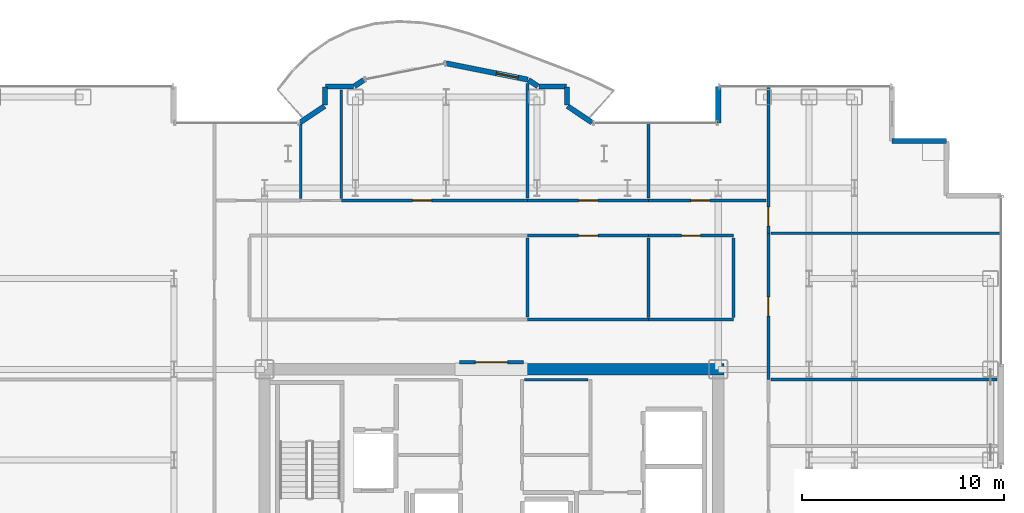
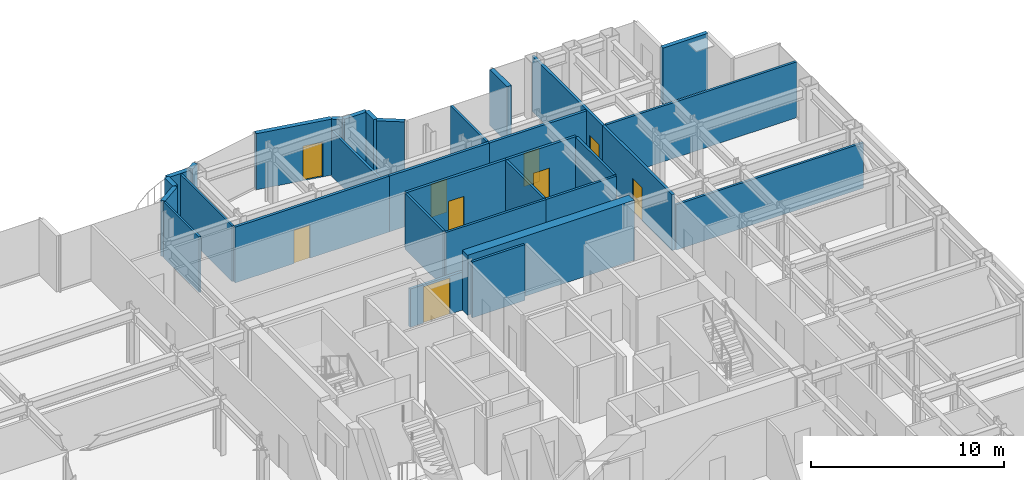
# One storey, part 23 of 26: 32 walls, 9 doors, 9 openings.
"""IFC4 building model written with IfcOpenShell, lengths in metres."""

import ifcopenshell
import ifcopenshell.guid

model = None  # the IFC model being written
_history = None  # IfcOwnerHistory: only IFC2X3 demands one
_inside = {}  # id of a spatial element -> (the spatial element, [elements in it])
_under = {}  # id of a project, library or spatial element -> (it, [spatial elements below it])
_declared = {}  # id of a project -> (the project, [libraries it declares])
_typed = {}  # id of a type object -> (the type object, [elements of that type])
_made_of = {}  # id of a material, layer set ... -> (it, [elements and type objects made of it])


def new_model(schema):
    """Start an empty IFC model of exactly this schema.

    Asked for "IFC4X3", IfcOpenShell would pick the latest addendum, in which some entities
    have other attributes; the version numbers below select the first issue.
    IFC2X3 requires an IfcOwnerHistory on every rooted entity: one is made here for all.
    """
    global model, _history
    if schema == "IFC4X3":
        model = ifcopenshell.file(schema_version=(4, 3, 0, 0))
    else:
        model = ifcopenshell.file(schema=schema)
    _inside.clear()
    _under.clear()
    _declared.clear()
    _typed.clear()
    _made_of.clear()
    _history = None
    if model.schema == "IFC2X3":
        org = make("IfcOrganization", Name="unknown")
        user = make(
            "IfcPersonAndOrganization",
            ThePerson=make("IfcPerson", FamilyName="unknown"),
            TheOrganization=org,
        )
        app = make(
            "IfcApplication",
            ApplicationDeveloper=org,
            Version="unknown",
            ApplicationFullName="unknown",
            ApplicationIdentifier="unknown",
        )
        _history = make(
            "IfcOwnerHistory",
            OwningUser=user,
            OwningApplication=app,
            ChangeAction="ADDED",
            CreationDate=0,
        )
    return model


def make(cls, **values):
    """One entity of the class cls with the attributes given. An attribute that is None is left unset."""
    return model.create_entity(
        cls, **{name: value for name, value in values.items() if value is not None}
    )


def rooted(cls, **values):
    """An entity with a GlobalId (a new one), such as an element, a storey or a relation."""
    return make(cls, GlobalId=ifcopenshell.guid.new(), OwnerHistory=_history, **values)


def si_unit(unit_type, name, prefix=None):
    """IfcSIUnit, for example si_unit("LENGTHUNIT", "METRE", prefix="MILLI")."""
    return make("IfcSIUnit", UnitType=unit_type, Prefix=prefix, Name=name)


def assignment(units):
    """IfcUnitAssignment: the units of a project."""
    return None if units is None else make("IfcUnitAssignment", Units=units)


def point(xyz):
    """IfcCartesianPoint."""
    return None if xyz is None else make("IfcCartesianPoint", Coordinates=xyz)


def direction(xyz):
    """IfcDirection."""
    return None if xyz is None else make("IfcDirection", DirectionRatios=xyz)


def frame(location, z_axis=None, x_axis=None):
    """IfcAxis2Placement3D, a coordinate frame: its origin and axes. An axis left out is left unset."""
    return make(
        "IfcAxis2Placement3D",
        Location=point(location),
        Axis=direction(z_axis),
        RefDirection=direction(x_axis),
    )


def frame_2d(location, x_axis=None):
    """IfcAxis2Placement2D, a coordinate frame in the plane: its origin and x axis."""
    return make(
        "IfcAxis2Placement2D", Location=point(location), RefDirection=direction(x_axis)
    )


def origin():
    """The frame at (0, 0, 0) with its axes left unset."""
    return frame((0.0, 0.0, 0.0))


def place(relative_to, where):
    """IfcLocalPlacement: puts the frame where relative to a parent placement (None: the world)."""
    return make(
        "IfcLocalPlacement", PlacementRelTo=relative_to, RelativePlacement=where
    )


def context(
    kind, dimensions, precision=None, world=None, true_north=None, identifier=None
):
    """IfcGeometricRepresentationContext, for example the 3D "Model" context."""
    return make(
        "IfcGeometricRepresentationContext",
        ContextIdentifier=identifier,
        ContextType=kind,
        CoordinateSpaceDimension=dimensions,
        Precision=precision,
        WorldCoordinateSystem=world,
        TrueNorth=true_north,
    )


def subcontext(parent, identifier, kind, view, scale=None):
    """IfcGeometricRepresentationSubContext, for example "Body" below "Model"."""
    return make(
        "IfcGeometricRepresentationSubContext",
        ContextIdentifier=identifier,
        ContextType=kind,
        ParentContext=parent,
        TargetScale=scale,
        TargetView=view,
    )


def project(units=None, contexts=None):
    """IfcProject with its units and contexts."""
    return rooted(
        "IfcProject",
        Name="project",
        RepresentationContexts=contexts,
        UnitsInContext=assignment(units),
    )


def spatial(cls, under=None, at=None, **own):
    """A site, building, storey or space (cls), placed at a placement, below another one or the project."""
    s = rooted(cls, ObjectPlacement=at, **own)
    if under is not None:
        _under.setdefault(under.id(), (under, []))[1].append(s)
    return s


def profile(cls, at=None, kind="AREA", **sizes):
    """A parametric profile (cls). Its sizes go by their IFC names, for example OverallWidth=200.0."""
    return make(cls, ProfileType=kind, Position=at, **sizes)


def rectangle(**sizes):
    """IfcRectangleProfileDef."""
    return profile("IfcRectangleProfileDef", **sizes)


def extrude(swept, where, along, depth):
    """IfcExtrudedAreaSolid: the profile swept, set in the frame where, extruded along a direction by depth."""
    return make(
        "IfcExtrudedAreaSolid",
        SweptArea=swept,
        Position=where,
        ExtrudedDirection=direction(along),
        Depth=depth,
    )


def shape(context_of_items, identifier, shape_type, items):
    """IfcShapeRepresentation: the items that make up one representation, for example the "Body"."""
    return make(
        "IfcShapeRepresentation",
        ContextOfItems=context_of_items,
        RepresentationIdentifier=identifier,
        RepresentationType=shape_type,
        Items=items,
    )


def source(mapping_origin, context_of_items, identifier, shape_type, items):
    """IfcRepresentationMap: a shape defined once, which mapped items show again and again."""
    return make(
        "IfcRepresentationMap",
        MappingOrigin=mapping_origin,
        MappedRepresentation=shape(context_of_items, identifier, shape_type, items),
    )


def transform(
    local_origin,
    x_axis=None,
    y_axis=None,
    z_axis=None,
    scale=None,
    scale2=None,
    scale3=None,
    uniform=True,
):
    """IfcCartesianTransformationOperator3D, or its non-uniform kind. x_axis, y_axis, z_axis: its Axis1, 2, 3."""
    if uniform:
        return make(
            "IfcCartesianTransformationOperator3D",
            Axis1=direction(x_axis),
            Axis2=direction(y_axis),
            LocalOrigin=point(local_origin),
            Scale=scale,
            Axis3=direction(z_axis),
        )
    return make(
        "IfcCartesianTransformationOperator3DnonUniform",
        Axis1=direction(x_axis),
        Axis2=direction(y_axis),
        LocalOrigin=point(local_origin),
        Scale=scale,
        Axis3=direction(z_axis),
        Scale2=scale2,
        Scale3=scale3,
    )


def mapped(mapping_source, mapping_target):
    """IfcMappedItem: shows the shape of a source again, moved by a transform."""
    return make(
        "IfcMappedItem", MappingSource=mapping_source, MappingTarget=mapping_target
    )


def material(Name=None, Category=None):
    """IfcMaterial."""
    return make("IfcMaterial", Name=Name, Category=Category)


def layer(
    of_material, thickness, ventilated=None, Name=None, Category=None, Priority=None
):
    """IfcMaterialLayer: one layer of a wall or slab, of a material (None: an air gap)."""
    return make(
        "IfcMaterialLayer",
        Material=of_material,
        LayerThickness=thickness,
        IsVentilated=ventilated,
        Name=Name,
        Category=Category,
        Priority=Priority,
    )


def layer_set(layers, Name=None):
    """IfcMaterialLayerSet."""
    return make("IfcMaterialLayerSet", MaterialLayers=layers, LayerSetName=Name)


def made_of(thing, what):
    """Note that an element or type object is made of a material, layer set ...; save() writes the relation."""
    if what is not None:
        _made_of.setdefault(what.id(), (what, []))[1].append(thing)
    return thing


def type_object(cls, material=None, **own):
    """A type object (cls), such as IfcWallType, which elements share."""
    return made_of(rooted(cls, **own), material)


def element(
    cls,
    number,
    at=None,
    inside=None,
    cuts=None,
    type_object=None,
    material=None,
    context=None,
    identifier="Body",
    shape_type=None,
    held_by="IfcProductDefinitionShape",
    body=None,
    shapes=None,
    **own,
):
    """One element of the class cls, such as IfcWall. Its Tag is "e" and its number.

    at: its placement. inside: the storey or other place that contains it. cuts: it is an
    opening in that element (IfcRelVoidsElement). A single representation is given by context,
    identifier, shape_type and body (its items); several are given by shapes. held_by: the class
    of the entity that holds the representations. save() writes the other relations.
    """
    e = rooted(cls, Tag="e%d" % number, ObjectPlacement=at, **own)
    if body is not None:
        shapes = [shape(context, identifier, shape_type, body)]
    if shapes is not None:
        e.Representation = make(held_by, Representations=shapes)
    if inside is not None:
        _inside.setdefault(inside.id(), (inside, []))[1].append(e)
    if cuts is not None:
        rooted(
            "IfcRelVoidsElement", RelatingBuildingElement=cuts, RelatedOpeningElement=e
        )
    if type_object is not None:
        _typed.setdefault(type_object.id(), (type_object, []))[1].append(e)
    return made_of(e, material)


def fill(opening, filler):
    """IfcRelFillsElement: the door or window that sits in an opening."""
    return rooted(
        "IfcRelFillsElement",
        RelatingOpeningElement=opening,
        RelatedBuildingElement=filler,
    )


def aggregate(whole, parts):
    """IfcRelAggregates: a whole, such as a stair, and the parts it consists of."""
    return rooted("IfcRelAggregates", RelatingObject=whole, RelatedObjects=parts)


def save(model, path):
    """Write the relations noted so far, then the file.

    IfcRelAggregates (storeys below a building ...), IfcRelContainedInSpatialStructure (elements
    in a storey), IfcRelDefinesByType, IfcRelAssociatesMaterial and IfcRelDeclares: one each for
    every whole, place, type object, material and project.
    """
    for whole, parts in _under.values():
        aggregate(whole, parts)
    for where, things in _inside.values():
        rooted(
            "IfcRelContainedInSpatialStructure",
            RelatedElements=things,
            RelatingStructure=where,
        )
    for kind, things in _typed.values():
        rooted("IfcRelDefinesByType", RelatedObjects=things, RelatingType=kind)
    for what, things in _made_of.values():
        rooted("IfcRelAssociatesMaterial", RelatedObjects=things, RelatingMaterial=what)
    for by, libraries in _declared.values():
        rooted("IfcRelDeclares", RelatingContext=by, RelatedDefinitions=libraries)
    model.write(path)


model = new_model("IFC4")

# Units and contexts
model_context = context("Model", 3, precision=1e-05, world=origin(), true_north=direction((0.0, 1.0)))
body_context = subcontext(model_context, "Body", "Model", "MODEL_VIEW")
ifc_project = project(units=[si_unit("LENGTHUNIT", "METRE"), si_unit("AREAUNIT", "SQUARE_METRE"), si_unit("VOLUMEUNIT", "CUBIC_METRE"), si_unit("PLANEANGLEUNIT", "RADIAN"), si_unit("MASSUNIT", "GRAM", prefix="KILO")], contexts=[model_context])

# Site, building, storey
site_placement = place(None, origin())
site = spatial("IfcSite", under=ifc_project, at=site_placement, CompositionType="ELEMENT")
building_placement = place(site_placement, origin())
building = spatial("IfcBuilding", under=site, at=building_placement, Name="Nefas-Gora Pilgrimage Tower", CompositionType="ELEMENT")
storey_placement = place(building_placement, frame((0.0, 0.0, 171.60009765625)))
storey = spatial("IfcBuildingStorey", under=building, at=storey_placement, Name="L42", CompositionType="ELEMENT", Elevation=171.60009765625)

# Walls
ifc_material_1 = material(Name="Concrete C60/75", Category="concrete")
ifc_layer_1 = layer(ifc_material_1, 0.550048828125)
ifc_layer_set_1 = layer_set([ifc_layer_1], Name="Concrete C60/75")
wall_type_1 = type_object("IfcWallType", Name="SW-CORE-550", PredefinedType="SHEAR", material=ifc_layer_set_1)
shared_shape_1 = source(origin(), body_context, "Body", "SweptSolid", [
    extrude(rectangle(XDim=9.974853515625, YDim=0.550048828125, at=frame_2d((4.9873046875, 0.0))), origin(), (0.0, 0.0, 1.0), 3.7998046875),
])
wall_1_placement = place(storey_placement, frame((1.550048828125, 9.0, 0.0), z_axis=(0.0, 0.0, 1.0), x_axis=(1.0, 0.0, 0.0)))
element("IfcWall", 1, at=wall_1_placement, inside=storey, type_object=wall_type_1, Name="L42 Core Shear Wall N-East", PredefinedType="SHEAR", context=body_context, shape_type="MappedRepresentation", body=[
    mapped(shared_shape_1, transform((0.0, 0.0, 0.0), x_axis=(1.0, 0.0, 0.0), y_axis=(0.0, 1.0, 0.0), z_axis=(0.0, 0.0, 1.0), scale=1.0)),
])
ifc_material_2 = material(Name="Precast concrete C40/50", Category="concrete")
ifc_layer_2 = layer(ifc_material_2, 0.260009765625)
ifc_layer_set_2 = layer_set([ifc_layer_2], Name="Precast concrete C40/50")
wall_type_2 = type_object("IfcWallType", Name="EW-PORTAL-260", PredefinedType="SOLIDWALL", material=ifc_layer_set_2)
shared_shape_2 = source(origin(), body_context, "Body", "SweptSolid", [
    extrude(rectangle(XDim=1.800048828125, YDim=0.260009765625, at=frame_2d((0.89990234375, 0.0))), origin(), (0.0, 0.0, 1.0), 3.5498046875),
])
wall_2_placement = place(storey_placement, frame((11.25, 23.02001953125, 0.0), z_axis=(0.0, 0.0, 1.0), x_axis=(0.0, -1.0, 0.0)))
element("IfcWall", 2, at=wall_2_placement, inside=storey, type_object=wall_type_2, Name="L42 Lobe Shoulder Precast Spandrel Pier 14", PredefinedType="SOLIDWALL", context=body_context, shape_type="MappedRepresentation", body=[
    mapped(shared_shape_2, transform((0.0, 0.0, 0.0), x_axis=(1.0, 0.0, 0.0), y_axis=(0.0, 1.0, 0.0), z_axis=(0.0, 0.0, 1.0), scale=1.0)),
])
ifc_material_3 = material(Name="Precast concrete C45/55", Category="concrete")
ifc_layer_3 = layer(ifc_material_3, 0.239990234375)
ifc_layer_set_3 = layer_set([ifc_layer_3], Name="Precast concrete C45/55")
wall_type_3 = type_object("IfcWallType", Name="EW-SERR-240", PredefinedType="SHEAR", material=ifc_layer_set_3)
shared_shape_3 = source(origin(), body_context, "Body", "SweptSolid", [
    extrude(rectangle(XDim=2.699951171875, YDim=0.239990234375, at=frame_2d((1.35009765625, 0.0))), origin(), (0.0, 0.0, 1.0), 3.5498046875),
])
wall_3_placement = place(storey_placement, frame((22.570068359375, 20.320068359375, 0.0), z_axis=(0.0, 0.0, 1.0), x_axis=(-1.0, 0.0, 0.0)))
element("IfcWall", 3, at=wall_3_placement, inside=storey, type_object=wall_type_3, Name="L42 Serrated Corner Shear Pier Wall 12", PredefinedType="SHEAR", context=body_context, shape_type="MappedRepresentation", body=[
    mapped(shared_shape_3, transform((0.0, 0.0, 0.0), x_axis=(1.0, 0.0, 0.0), y_axis=(0.0, 1.0, 0.0), z_axis=(0.0, 0.0, 1.0), scale=1.0)),
])
shared_shape_4 = source(origin(), body_context, "Body", "SweptSolid", [
    extrude(rectangle(XDim=1.468994140625, YDim=0.260009765625, at=frame_2d((0.734375, 0.0))), origin(), (0.0, 0.0, 1.0), 3.5498046875),
])
for number, where, z_axis, x_axis, name in (
    (4, (4.99462890625, 21.235595703125, 0.0), (0.0, 0.0, 1.0), (-0.831461760506, 0.555581983884, 0.0), "L42 Lobe Shoulder Precast Spandrel Pier 15"),
    (5, (-8.273193359375, 22.0517578125, 0.0), (0.0, 0.0, 1.0), (-0.831461760506, -0.555581983884, 0.0), "L42 Lobe Shoulder Precast Spandrel Pier 23"),
):
    element("IfcWall", number, at=place(storey_placement, frame(where, z_axis=z_axis, x_axis=x_axis)), inside=storey, type_object=wall_type_2, Name=name, PredefinedType="SOLIDWALL", context=body_context, shape_type="MappedRepresentation", body=[
        mapped(shared_shape_4, transform((0.0, 0.0, 0.0), x_axis=(1.0, 0.0, 0.0), y_axis=(0.0, 1.0, 0.0), z_axis=(0.0, 0.0, 1.0), scale=1.0)),
    ])
shared_shape_5 = source(origin(), body_context, "Body", "SweptSolid", [
    extrude(rectangle(XDim=0.896728515625, YDim=0.260009765625, at=frame_2d((0.4482421875, 0.0))), origin(), (0.0, 0.0, 1.0), 3.5498046875),
])
for number, where, z_axis, x_axis, name in (
    (6, (3.75, 22.09521484375, 0.0), (0.0, 0.0, 1.0), (0.0, 1.0, 0.0), "L42 Lobe Shoulder Precast Spandrel Pier 16"),
    (7, (-8.25, 22.991943359375, 0.0), (0.0, 0.0, 1.0), (0.0, -1.0, 0.0), "L42 Lobe Shoulder Precast Spandrel Pier 22"),
):
    element("IfcWall", number, at=place(storey_placement, frame(where, z_axis=z_axis, x_axis=x_axis)), inside=storey, type_object=wall_type_2, Name=name, PredefinedType="SOLIDWALL", context=body_context, shape_type="MappedRepresentation", body=[
        mapped(shared_shape_5, transform((0.0, 0.0, 0.0), x_axis=(1.0, 0.0, 0.0), y_axis=(0.0, 1.0, 0.0), z_axis=(0.0, 0.0, 1.0), scale=1.0)),
    ])
shared_shape_6 = source(origin(), body_context, "Body", "SweptSolid", [
    extrude(rectangle(XDim=1.369873046875, YDim=0.260009765625, at=frame_2d((0.68505859375, 0.0))), origin(), (0.0, 0.0, 1.0), 3.5498046875),
])
for number, where, z_axis, x_axis, name in (
    (8, (3.721923828125, 23.02001953125, 0.0), (0.0, 0.0, 1.0), (-1.0, 0.0, 0.0), "L42 Lobe Shoulder Precast Spandrel Pier 17"),
    (9, (-6.85205078125, 23.02001953125, 0.0), (0.0, 0.0, 1.0), (-1.0, 0.0, 0.0), "L42 Lobe Shoulder Precast Spandrel Pier 21"),
):
    element("IfcWall", number, at=place(storey_placement, frame(where, z_axis=z_axis, x_axis=x_axis)), inside=storey, type_object=wall_type_2, Name=name, PredefinedType="SOLIDWALL", context=body_context, shape_type="MappedRepresentation", body=[
        mapped(shared_shape_6, transform((0.0, 0.0, 0.0), x_axis=(1.0, 0.0, 0.0), y_axis=(0.0, 1.0, 0.0), z_axis=(0.0, 0.0, 1.0), scale=1.0)),
    ])
shared_shape_7 = source(origin(), body_context, "Body", "SweptSolid", [
    extrude(rectangle(XDim=0.5654296875, YDim=0.260009765625, at=frame_2d((0.28271484375, 0.0))), origin(), (0.0, 0.0, 1.0), 3.5498046875),
])
for number, where, z_axis, x_axis, name in (
    (10, (2.30078125, 23.03564453125, 0.0), (0.0, 0.0, 1.0), (-0.831651492666, 0.555297933317, 0.0), "L42 Lobe Shoulder Precast Spandrel Pier 18"),
    (11, (-6.33056640625, 23.349609375, 0.0), (0.0, 0.0, 1.0), (-0.831651492666, -0.555297933317, 0.0), "L42 Lobe Shoulder Precast Spandrel Pier 20"),
):
    element("IfcWall", number, at=place(storey_placement, frame(where, z_axis=z_axis, x_axis=x_axis)), inside=storey, type_object=wall_type_2, Name=name, PredefinedType="SOLIDWALL", context=body_context, shape_type="MappedRepresentation", body=[
        mapped(shared_shape_7, transform((0.0, 0.0, 0.0), x_axis=(1.0, 0.0, 0.0), y_axis=(0.0, 1.0, 0.0), z_axis=(0.0, 0.0, 1.0), scale=1.0)),
    ])

# Wall, opening, door
shared_shape_8 = source(origin(), body_context, "Body", "SweptSolid", [
    extrude(rectangle(XDim=4.136962890625, YDim=0.260009765625, at=frame_2d((2.068359375, 0.0))), origin(), (0.0, 0.0, 1.0), 3.5498046875),
])
wall_4_placement = place(storey_placement, frame((1.807373046875, 23.365234375, 0.0), z_axis=(0.0, 0.0, 1.0), x_axis=(-0.980782170794, 0.195105954428, 0.0)))
wall_4 = element("IfcWall", 12, at=wall_4_placement, inside=storey, type_object=wall_type_2, Name="L42 Insulated Terrace Portal Wall 19", PredefinedType="SOLIDWALL", context=body_context, shape_type="MappedRepresentation", body=[
    mapped(shared_shape_8, transform((0.0, 0.0, 0.0), x_axis=(1.0, 0.0, 0.0), y_axis=(0.0, 1.0, 0.0), z_axis=(0.0, 0.0, 1.0), scale=1.0)),
])
opening_1_placement = place(wall_4_placement, frame((0.48779296875, 0.0, 0.0)))
opening_1 = element("IfcOpeningElement", 13, at=opening_1_placement, cuts=wall_4, Name="Opening ED-B1", PredefinedType="OPENING", context=body_context, shape_type="SweptSolid", body=[
    extrude(rectangle(XDim=1.10009765625, YDim=2.199951171875, at=frame_2d((0.550048828125, 1.10009765625))), frame((0.0, 0.139892578125, 0.0), z_axis=(0.0, -1.0, 0.0), x_axis=(1.0, 0.0, 0.0)), (0.0, 0.0, 1.0), 0.280029296875),
])
ifc_material_4 = material(Name="Thermally broken glazed aluminium balcony door", Category="aluminium")
door_type_1 = type_object("IfcDoorType", Name="DR-EXT-BAL-1100", OperationType="NOTDEFINED", PredefinedType="DOOR", material=ifc_material_4)
shared_shape_9 = source(origin(), body_context, "Body", "SweptSolid", [
    extrude(rectangle(XDim=1.10009765625, YDim=2.199951171875, at=frame_2d((0.550048828125, 1.10009765625))), frame((0.0, 0.02490234375, 0.0), z_axis=(0.0, -1.0, 0.0), x_axis=(1.0, 0.0, 0.0)), (0.0, 0.0, 1.0), 0.050048828125),
])
door_1_placement = place(opening_1_placement, origin())
door_1 = element("IfcDoor", 14, at=door_1_placement, inside=storey, type_object=door_type_1, Name="L42 Exterior Door (L42 N Lobe Wave Balcony)", OperationType="SINGLE_SWING_LEFT", OverallHeight=2.199951171875, OverallWidth=1.10009765625, PredefinedType="DOOR", context=body_context, shape_type="MappedRepresentation", body=[
    mapped(shared_shape_9, transform((0.0, 0.0, 0.0), x_axis=(1.0, 0.0, 0.0), y_axis=(0.0, 1.0, 0.0), z_axis=(0.0, 0.0, 1.0), scale=1.0)),
])
fill(opening_1, door_1)

# Wall
ifc_material_5 = material(Name="Gypsum twin-stud partition")
ifc_layer_4 = layer(ifc_material_5, 0.139892578125)
ifc_layer_set_4 = layer_set([ifc_layer_4], Name="Gypsum twin-stud partition")
wall_type_4 = type_object("IfcWallType", Name="IW-UNIT-140", PredefinedType="PARTITIONING", material=ifc_layer_set_4)
shared_shape_10 = source(origin(), body_context, "Body", "SweptSolid", [
    extrude(rectangle(XDim=3.150146484375, YDim=0.139892578125, at=frame_2d((1.5751953125, 0.0))), origin(), (0.0, 0.0, 1.0), 3.534912109375),
])
wall_5_placement = place(storey_placement, frame((1.639892578125, 8.47998046875, 0.0), z_axis=(0.0, 0.0, 1.0), x_axis=(1.0, 0.0, 0.0)))
element("IfcWall", 15, at=wall_5_placement, inside=storey, type_object=wall_type_4, Name="L42 Amenity Supply Store Partition Wall 25", PredefinedType="PARTITIONING", context=body_context, shape_type="MappedRepresentation", body=[
    mapped(shared_shape_10, transform((0.0, 0.0, 0.0), x_axis=(1.0, 0.0, 0.0), y_axis=(0.0, 1.0, 0.0), z_axis=(0.0, 0.0, 1.0), scale=1.0)),
])

# Wall, opening, door
ifc_material_6 = material(Name="Gypsum acoustic stud partition")
ifc_layer_5 = layer(ifc_material_6, 0.159912109375)
ifc_layer_set_5 = layer_set([ifc_layer_5], Name="Gypsum acoustic stud partition")
wall_type_5 = type_object("IfcWallType", Name="IW-CORR-160", PredefinedType="PARTITIONING", material=ifc_layer_set_5)
shared_shape_11 = source(origin(), body_context, "Body", "SweptSolid", [
    extrude(rectangle(XDim=6.010009765625, YDim=0.159912109375, at=frame_2d((3.0048828125, 0.0))), origin(), (0.0, 0.0, 1.0), 3.534912109375),
])
wall_6_placement = place(storey_placement, frame((1.794921875, 17.3701171875, 0.0), z_axis=(0.0, 0.0, 1.0), x_axis=(1.0, 0.0, 0.0)))
wall_6 = element("IfcWall", 16, at=wall_6_placement, inside=storey, type_object=wall_type_5, Name="L42 Pilgrim Contemplative Lounge Partition Wall 59", PredefinedType="PARTITIONING", context=body_context, shape_type="MappedRepresentation", body=[
    mapped(shared_shape_11, transform((0.0, 0.0, 0.0), x_axis=(1.0, 0.0, 0.0), y_axis=(0.0, 1.0, 0.0), z_axis=(0.0, 0.0, 1.0), scale=1.0)),
])
opening_2_placement = place(wall_6_placement, frame((2.530029296875, 0.0, 0.0)))
opening_2 = element("IfcOpeningElement", 17, at=opening_2_placement, cuts=wall_6, Name="Opening ID-GR1", PredefinedType="OPENING", context=body_context, shape_type="SweptSolid", body=[
    extrude(rectangle(XDim=0.949951171875, YDim=2.10009765625, at=frame_2d((0.47509765625, 1.050048828125))), frame((0.0, 0.08984375, 0.0), z_axis=(0.0, -1.0, 0.0), x_axis=(1.0, 0.0, 0.0)), (0.0, 0.0, 1.0), 0.179931640625),
])
ifc_material_7 = material(Name="Solid core oak fire-rated guest entrance door")
door_type_2 = type_object("IfcDoorType", Name="DR-INT-GUEST-950", OperationType="NOTDEFINED", PredefinedType="DOOR", material=ifc_material_7)
shared_shape_12 = source(origin(), body_context, "Body", "SweptSolid", [
    extrude(rectangle(XDim=0.949951171875, YDim=2.10009765625, at=frame_2d((0.47509765625, 1.050048828125))), frame((0.0, 0.02490234375, 0.0), z_axis=(0.0, -1.0, 0.0), x_axis=(1.0, 0.0, 0.0)), (0.0, 0.0, 1.0), 0.050048828125),
])
door_2_placement = place(opening_2_placement, origin())
door_2 = element("IfcDoor", 18, at=door_2_placement, inside=storey, type_object=door_type_2, Name="L42 Pilgrim Contemplative Lounge Door 27", OperationType="SINGLE_SWING_RIGHT", OverallHeight=2.10009765625, OverallWidth=0.949951171875, PredefinedType="DOOR", context=body_context, shape_type="MappedRepresentation", body=[
    mapped(shared_shape_12, transform((0.0, 0.0, 0.0), x_axis=(1.0, 0.0, 0.0), y_axis=(0.0, 1.0, 0.0), z_axis=(0.0, 0.0, 1.0), scale=1.0)),
])
fill(opening_2, door_2)

wall_7_placement = place(storey_placement, frame((1.794921875, 15.6298828125, 0.0), z_axis=(0.0, 0.0, 1.0), x_axis=(1.0, 0.0, 0.0)))
wall_7 = element("IfcWall", 19, at=wall_7_placement, inside=storey, type_object=wall_type_5, Name="L42 Pilgrim Contemplative Lounge Partition Wall 61", PredefinedType="PARTITIONING", context=body_context, shape_type="MappedRepresentation", body=[
    mapped(shared_shape_11, transform((0.0, 0.0, 0.0), x_axis=(1.0, 0.0, 0.0), y_axis=(0.0, 1.0, 0.0), z_axis=(0.0, 0.0, 1.0), scale=1.0)),
])
opening_3_placement = place(wall_7_placement, frame((2.530029296875, 0.0, 0.0)))
opening_3 = element("IfcOpeningElement", 20, at=opening_3_placement, cuts=wall_7, Name="Opening ID-GR1", PredefinedType="OPENING", context=body_context, shape_type="SweptSolid", body=[
    extrude(rectangle(XDim=0.949951171875, YDim=2.10009765625, at=frame_2d((0.47509765625, 1.050048828125))), frame((0.0, 0.08984375, 0.0), z_axis=(0.0, -1.0, 0.0), x_axis=(1.0, 0.0, 0.0)), (0.0, 0.0, 1.0), 0.179931640625),
])
door_3_placement = place(opening_3_placement, origin())
door_3 = element("IfcDoor", 21, at=door_3_placement, inside=storey, type_object=door_type_2, Name="L42 Pilgrim Contemplative Lounge Door 28", OperationType="SINGLE_SWING_LEFT", OverallHeight=2.10009765625, OverallWidth=0.949951171875, PredefinedType="DOOR", context=body_context, shape_type="MappedRepresentation", body=[
    mapped(shared_shape_12, transform((0.0, 0.0, 0.0), x_axis=(1.0, 0.0, 0.0), y_axis=(0.0, 1.0, 0.0), z_axis=(0.0, 0.0, 1.0), scale=1.0)),
])
fill(opening_3, door_3)

shared_shape_13 = source(origin(), body_context, "Body", "SweptSolid", [
    extrude(rectangle(XDim=5.8251953125, YDim=0.159912109375, at=frame_2d((2.91259765625, 0.0))), origin(), (0.0, 0.0, 1.0), 3.534912109375),
])
wall_8_placement = place(storey_placement, frame((7.794921875, 17.3701171875, 0.0), z_axis=(0.0, 0.0, 1.0), x_axis=(1.0, 0.0, 0.0)))
wall_8 = element("IfcWall", 22, at=wall_8_placement, inside=storey, type_object=wall_type_5, Name="L42 Pilgrim Contemplative Lounge Partition Wall 64", PredefinedType="PARTITIONING", context=body_context, shape_type="MappedRepresentation", body=[
    mapped(shared_shape_13, transform((0.0, 0.0, 0.0), x_axis=(1.0, 0.0, 0.0), y_axis=(0.0, 1.0, 0.0), z_axis=(0.0, 0.0, 1.0), scale=1.0)),
])
opening_4_placement = place(wall_8_placement, frame((2.09228515625, 0.0, 0.0)))
opening_4 = element("IfcOpeningElement", 23, at=opening_4_placement, cuts=wall_8, Name="Opening ID-GR1", PredefinedType="OPENING", context=body_context, shape_type="SweptSolid", body=[
    extrude(rectangle(XDim=0.949951171875, YDim=2.10009765625, at=frame_2d((0.47509765625, 1.050048828125))), frame((0.0, 0.08984375, 0.0), z_axis=(0.0, -1.0, 0.0), x_axis=(1.0, 0.0, 0.0)), (0.0, 0.0, 1.0), 0.179931640625),
])
door_4_placement = place(opening_4_placement, origin())
door_4 = element("IfcDoor", 24, at=door_4_placement, inside=storey, type_object=door_type_2, Name="L42 Pilgrim Contemplative Lounge Door 29", OperationType="SINGLE_SWING_RIGHT", OverallHeight=2.10009765625, OverallWidth=0.949951171875, PredefinedType="DOOR", context=body_context, shape_type="MappedRepresentation", body=[
    mapped(shared_shape_12, transform((0.0, 0.0, 0.0), x_axis=(1.0, 0.0, 0.0), y_axis=(0.0, 1.0, 0.0), z_axis=(0.0, 0.0, 1.0), scale=1.0)),
])
fill(opening_4, door_4)

shared_shape_14 = source(origin(), body_context, "Body", "SweptSolid", [
    extrude(rectangle(XDim=3.16015625, YDim=0.159912109375, at=frame_2d((1.580078125, 0.0))), origin(), (0.0, 0.0, 1.0), 2.4248046875),
])
wall_9_placement = place(storey_placement, frame((-1.580078125, 9.35009765625, 0.0), z_axis=(0.0, 0.0, 1.0), x_axis=(1.0, 0.0, 0.0)))
wall_9 = element("IfcWall", 25, at=wall_9_placement, inside=storey, type_object=wall_type_5, Name="L42 Central Lift Lobby North Portal Wall 15", PredefinedType="PARTITIONING", context=body_context, shape_type="MappedRepresentation", body=[
    mapped(shared_shape_14, transform((0.0, 0.0, 0.0), x_axis=(1.0, 0.0, 0.0), y_axis=(0.0, 1.0, 0.0), z_axis=(0.0, 0.0, 1.0), scale=1.0)),
])
opening_5_placement = place(wall_9_placement, frame((0.780029296875, 0.0, 0.0)))
opening_5 = element("IfcOpeningElement", 26, at=opening_5_placement, cuts=wall_9, Name="Opening ID-HL1", PredefinedType="OPENING", context=body_context, shape_type="SweptSolid", body=[
    extrude(rectangle(XDim=1.60009765625, YDim=2.300048828125, at=frame_2d((0.800048828125, 1.14990234375))), frame((0.0, 0.08984375, 0.0), z_axis=(0.0, -1.0, 0.0), x_axis=(1.0, 0.0, 0.0)), (0.0, 0.0, 1.0), 0.179931640625),
])
ifc_material_8 = material(Name="Double acoustic timber assembly hall door", Category="wood")
door_type_3 = type_object("IfcDoorType", Name="DR-INT-HALL-1600", OperationType="DOUBLE_DOOR_SINGLE_SWING", PredefinedType="DOOR", material=ifc_material_8)
shared_shape_15 = source(origin(), body_context, "Body", "SweptSolid", [
    extrude(rectangle(XDim=1.60009765625, YDim=2.300048828125, at=frame_2d((0.800048828125, 1.14990234375))), frame((0.0, 0.02490234375, 0.0), z_axis=(0.0, -1.0, 0.0), x_axis=(1.0, 0.0, 0.0)), (0.0, 0.0, 1.0), 0.050048828125),
])
door_5_placement = place(opening_5_placement, origin())
door_5 = element("IfcDoor", 27, at=door_5_placement, inside=storey, type_object=door_type_3, Name="L42 Central Lift Lobby North Portal Door 5", OperationType="DOUBLE_DOOR_SINGLE_SWING", OverallHeight=2.300048828125, OverallWidth=1.60009765625, PredefinedType="DOOR", context=body_context, shape_type="MappedRepresentation", body=[
    mapped(shared_shape_15, transform((0.0, 0.0, 0.0), x_axis=(1.0, 0.0, 0.0), y_axis=(0.0, 1.0, 0.0), z_axis=(0.0, 0.0, 1.0), scale=1.0)),
])
fill(opening_5, door_5)

# Walls
ifc_material_9 = material(Name="Moisture-resistant fire-rated gypsum partition")
ifc_layer_6 = layer(ifc_material_9, 0.1201171875)
ifc_layer_set_6 = layer_set([ifc_layer_6], Name="Moisture-resistant fire-rated gypsum partition")
wall_type_6 = type_object("IfcWallType", Name="IW-WET-120", PredefinedType="PLUMBINGWALL", material=ifc_layer_set_6)
shared_shape_16 = source(origin(), body_context, "Body", "SweptSolid", [
    extrude(rectangle(XDim=5.380126953125, YDim=0.1201171875, at=frame_2d((2.68994140625, 0.0))), origin(), (0.0, 0.0, 1.0), 3.534912109375),
])
wall_10_placement = place(storey_placement, frame((-7.449951171875, 17.469970703125, 0.0), z_axis=(0.0, 0.0, 1.0), x_axis=(0.0, 1.0, 0.0)))
element("IfcWall", 28, at=wall_10_placement, inside=storey, type_object=wall_type_6, Name="L42 Accessible Unisex WC Partition Wall 30", PredefinedType="PLUMBINGWALL", context=body_context, shape_type="MappedRepresentation", body=[
    mapped(shared_shape_16, transform((0.0, 0.0, 0.0), x_axis=(1.0, 0.0, 0.0), y_axis=(0.0, 1.0, 0.0), z_axis=(0.0, 0.0, 1.0), scale=1.0)),
])
shared_shape_17 = source(origin(), body_context, "Body", "SweptSolid", [
    extrude(rectangle(XDim=3.686767578125, YDim=0.1201171875, at=frame_2d((1.84326171875, 0.0))), origin(), (0.0, 0.0, 1.0), 3.534912109375),
])
wall_11_placement = place(storey_placement, frame((-9.449951171875, 17.469970703125, 0.0), z_axis=(0.0, 0.0, 1.0), x_axis=(0.0, 1.0, 0.0)))
element("IfcWall", 29, at=wall_11_placement, inside=storey, type_object=wall_type_6, Name="L42 Accessible Unisex WC Partition Wall 31", PredefinedType="PLUMBINGWALL", context=body_context, shape_type="MappedRepresentation", body=[
    mapped(shared_shape_17, transform((0.0, 0.0, 0.0), x_axis=(1.0, 0.0, 0.0), y_axis=(0.0, 1.0, 0.0), z_axis=(0.0, 0.0, 1.0), scale=1.0)),
])
shared_shape_18 = source(origin(), body_context, "Body", "SweptSolid", [
    extrude(rectangle(XDim=11.429931640625, YDim=0.139892578125, at=frame_2d((5.71484375, 0.0))), origin(), (0.0, 0.0, 1.0), 3.534912109375),
])
wall_12_placement = place(storey_placement, frame((13.860107421875, 15.74755859375, 0.0), z_axis=(0.0, 0.0, 1.0), x_axis=(1.0, 0.0, 0.0)))
element("IfcWall", 30, at=wall_12_placement, inside=storey, type_object=wall_type_4, Name="L42 Pilgrim Contemplative Lounge Partition Wall 50", PredefinedType="PARTITIONING", context=body_context, shape_type="MappedRepresentation", body=[
    mapped(shared_shape_18, transform((0.0, 0.0, 0.0), x_axis=(1.0, 0.0, 0.0), y_axis=(0.0, 1.0, 0.0), z_axis=(0.0, 0.0, 1.0), scale=1.0)),
])
shared_shape_19 = source(origin(), body_context, "Body", "SweptSolid", [
    extrude(rectangle(XDim=11.219970703125, YDim=0.139892578125, at=frame_2d((5.60986328125, 0.0))), origin(), (0.0, 0.0, 1.0), 2.875),
])
wall_13_placement = place(storey_placement, frame((13.860107421875, 8.4951171875, 0.0), z_axis=(0.0, 0.0, 1.0), x_axis=(1.0, 0.0, 0.0)))
element("IfcWall", 31, at=wall_13_placement, inside=storey, type_object=wall_type_4, Name="L42 Scripture Reading Study Partition Wall 48", PredefinedType="PARTITIONING", context=body_context, shape_type="MappedRepresentation", body=[
    mapped(shared_shape_19, transform((0.0, 0.0, 0.0), x_axis=(1.0, 0.0, 0.0), y_axis=(0.0, 1.0, 0.0), z_axis=(0.0, 0.0, 1.0), scale=1.0)),
])

# Wall, opening, door
shared_shape_20 = source(origin(), body_context, "Body", "SweptSolid", [
    extrude(rectangle(XDim=7.302490234375, YDim=0.159912109375, at=frame_2d((3.6513671875, 0.0))), origin(), (0.0, 0.0, 1.0), 3.534912109375),
])
wall_14_placement = place(storey_placement, frame((13.739990234375, 15.737548828125, 0.0), z_axis=(0.0, 0.0, 1.0), x_axis=(0.0, 1.0, 0.0)))
wall_14 = element("IfcWall", 32, at=wall_14_placement, inside=storey, type_object=wall_type_5, Name="L42 Pilgrim Contemplative Lounge Partition Wall 49", PredefinedType="PARTITIONING", context=body_context, shape_type="MappedRepresentation", body=[
    mapped(shared_shape_20, transform((0.0, 0.0, 0.0), x_axis=(1.0, 0.0, 0.0), y_axis=(0.0, 1.0, 0.0), z_axis=(0.0, 0.0, 1.0), scale=1.0)),
])
opening_6_placement = place(wall_14_placement, frame((0.361328125, 0.0, 0.0)))
opening_6 = element("IfcOpeningElement", 33, at=opening_6_placement, cuts=wall_14, Name="Opening ID-GR1", PredefinedType="OPENING", context=body_context, shape_type="SweptSolid", body=[
    extrude(rectangle(XDim=0.949951171875, YDim=2.10009765625, at=frame_2d((0.47509765625, 1.050048828125))), frame((0.0, 0.08984375, 0.0), z_axis=(0.0, -1.0, 0.0), x_axis=(1.0, 0.0, 0.0)), (0.0, 0.0, 1.0), 0.179931640625),
])
door_6_placement = place(opening_6_placement, origin())
door_6 = element("IfcDoor", 34, at=door_6_placement, inside=storey, type_object=door_type_2, Name="L42 Pilgrim Contemplative Lounge Door 22", OperationType="SINGLE_SWING_LEFT", OverallHeight=2.10009765625, OverallWidth=0.949951171875, PredefinedType="DOOR", context=body_context, shape_type="MappedRepresentation", body=[
    mapped(shared_shape_12, transform((0.0, 0.0, 0.0), x_axis=(1.0, 0.0, 0.0), y_axis=(0.0, 1.0, 0.0), z_axis=(0.0, 0.0, 1.0), scale=1.0)),
])
fill(opening_6, door_6)

shared_shape_21 = source(origin(), body_context, "Body", "SweptSolid", [
    extrude(rectangle(XDim=7.242431640625, YDim=0.159912109375, at=frame_2d((3.62109375, 0.0))), origin(), (0.0, 0.0, 1.0), 3.534912109375),
])
wall_15_placement = place(storey_placement, frame((13.739990234375, 8.4951171875, 0.0), z_axis=(0.0, 0.0, 1.0), x_axis=(0.0, 1.0, 0.0)))
wall_15 = element("IfcWall", 35, at=wall_15_placement, inside=storey, type_object=wall_type_5, Name="L42 Pilgrim Contemplative Lounge Partition Wall 51", PredefinedType="PARTITIONING", context=body_context, shape_type="MappedRepresentation", body=[
    mapped(shared_shape_21, transform((0.0, 0.0, 0.0), x_axis=(1.0, 0.0, 0.0), y_axis=(0.0, 1.0, 0.0), z_axis=(0.0, 0.0, 1.0), scale=1.0)),
])
opening_7_placement = place(wall_15_placement, frame((3.146240234375, 0.0, 0.0)))
opening_7 = element("IfcOpeningElement", 36, at=opening_7_placement, cuts=wall_15, Name="Opening ID-GR1", PredefinedType="OPENING", context=body_context, shape_type="SweptSolid", body=[
    extrude(rectangle(XDim=0.949951171875, YDim=2.10009765625, at=frame_2d((0.47509765625, 1.050048828125))), frame((0.0, 0.08984375, 0.0), z_axis=(0.0, -1.0, 0.0), x_axis=(1.0, 0.0, 0.0)), (0.0, 0.0, 1.0), 0.179931640625),
])
door_7_placement = place(opening_7_placement, origin())
door_7 = element("IfcDoor", 37, at=door_7_placement, inside=storey, type_object=door_type_2, Name="L42 Pilgrim Contemplative Lounge Door 23", OperationType="SINGLE_SWING_RIGHT", OverallHeight=2.10009765625, OverallWidth=0.949951171875, PredefinedType="DOOR", context=body_context, shape_type="MappedRepresentation", body=[
    mapped(shared_shape_12, transform((0.0, 0.0, 0.0), x_axis=(1.0, 0.0, 0.0), y_axis=(0.0, 1.0, 0.0), z_axis=(0.0, 0.0, 1.0), scale=1.0)),
])
fill(opening_7, door_7)

# Walls
shared_shape_22 = source(origin(), body_context, "Body", "SweptSolid", [
    extrude(rectangle(XDim=3.929931640625, YDim=0.139892578125, at=frame_2d((1.96484375, 0.0))), origin(), (0.0, 0.0, 1.0), 3.534912109375),
])
for number, where, z_axis, x_axis, name in (
    (38, (1.794921875, 11.590087890625, 0.0), (0.0, 0.0, 1.0), (0.0, 1.0, 0.0), "L42 Pilgrim Contemplative Lounge Partition Wall 55"),
    (39, (7.794921875, 11.580078125, 0.0), (0.0, 0.0, 1.0), (0.0, 1.0, 0.0), "L42 Pilgrim Contemplative Lounge Partition Wall 63"),
    (40, (12.0, 11.580078125, 0.0), (0.0, 0.0, 1.0), (0.0, 1.0, 0.0), "L42 Pilgrim Contemplative Lounge Partition Wall 67"),
):
    element("IfcWall", number, at=place(storey_placement, frame(where, z_axis=z_axis, x_axis=x_axis)), inside=storey, type_object=wall_type_4, Name=name, PredefinedType="PARTITIONING", context=body_context, shape_type="MappedRepresentation", body=[
        mapped(shared_shape_22, transform((0.0, 0.0, 0.0), x_axis=(1.0, 0.0, 0.0), y_axis=(0.0, 1.0, 0.0), z_axis=(0.0, 0.0, 1.0), scale=1.0)),
    ])
shared_shape_23 = source(origin(), body_context, "Body", "SweptSolid", [
    extrude(rectangle(XDim=3.75, YDim=0.139892578125, at=frame_2d((1.875, 0.0))), origin(), (0.0, 0.0, 1.0), 3.534912109375),
])
wall_16_placement = place(storey_placement, frame((7.794921875, 17.489990234375, 0.0), z_axis=(0.0, 0.0, 1.0), x_axis=(0.0, 1.0, 0.0)))
element("IfcWall", 41, at=wall_16_placement, inside=storey, type_object=wall_type_4, Name="L42 Pilgrim Contemplative Lounge Partition Wall 60", PredefinedType="PARTITIONING", context=body_context, shape_type="MappedRepresentation", body=[
    mapped(shared_shape_23, transform((0.0, 0.0, 0.0), x_axis=(1.0, 0.0, 0.0), y_axis=(0.0, 1.0, 0.0), z_axis=(0.0, 0.0, 1.0), scale=1.0)),
])

# Wall, opening, door
shared_shape_24 = source(origin(), body_context, "Body", "SweptSolid", [
    extrude(rectangle(XDim=9.244873046875, YDim=0.159912109375, at=frame_2d((4.62255859375, 0.0))), origin(), (0.0, 0.0, 1.0), 3.534912109375),
])
wall_17_placement = place(storey_placement, frame((-7.43994140625, 17.3701171875, 0.0), z_axis=(0.0, 0.0, 1.0), x_axis=(1.0, 0.0, 0.0)))
wall_17 = element("IfcWall", 42, at=wall_17_placement, inside=storey, type_object=wall_type_5, Name="L42 Pilgrim Contemplative Lounge Partition Wall 56", PredefinedType="PARTITIONING", context=body_context, shape_type="MappedRepresentation", body=[
    mapped(shared_shape_24, transform((0.0, 0.0, 0.0), x_axis=(1.0, 0.0, 0.0), y_axis=(0.0, 1.0, 0.0), z_axis=(0.0, 0.0, 1.0), scale=1.0)),
])
opening_8_placement = place(wall_17_placement, frame((3.52880859375, 0.0, 0.0)))
opening_8 = element("IfcOpeningElement", 43, at=opening_8_placement, cuts=wall_17, Name="Opening ID-GR1", PredefinedType="OPENING", context=body_context, shape_type="SweptSolid", body=[
    extrude(rectangle(XDim=0.949951171875, YDim=2.10009765625, at=frame_2d((0.47509765625, 1.050048828125))), frame((0.0, 0.08984375, 0.0), z_axis=(0.0, -1.0, 0.0), x_axis=(1.0, 0.0, 0.0)), (0.0, 0.0, 1.0), 0.179931640625),
])
door_8_placement = place(opening_8_placement, origin())
door_8 = element("IfcDoor", 44, at=door_8_placement, inside=storey, type_object=door_type_2, Name="L42 Pilgrim Contemplative Lounge Door 25", OperationType="SINGLE_SWING_RIGHT", OverallHeight=2.10009765625, OverallWidth=0.949951171875, PredefinedType="DOOR", context=body_context, shape_type="MappedRepresentation", body=[
    mapped(shared_shape_12, transform((0.0, 0.0, 0.0), x_axis=(1.0, 0.0, 0.0), y_axis=(0.0, 1.0, 0.0), z_axis=(0.0, 0.0, 1.0), scale=1.0)),
])
fill(opening_8, door_8)

# Walls
shared_shape_25 = source(origin(), body_context, "Body", "SweptSolid", [
    extrude(rectangle(XDim=5.681396484375, YDim=0.139892578125, at=frame_2d((2.8408203125, 0.0))), origin(), (0.0, 0.0, 1.0), 2.875),
])
wall_18_placement = place(storey_placement, frame((1.794921875, 17.489990234375, 0.0), z_axis=(0.0, 0.0, 1.0), x_axis=(0.0, 1.0, 0.0)))
element("IfcWall", 45, at=wall_18_placement, inside=storey, type_object=wall_type_4, Name="L42 Pilgrim Contemplative Lounge Partition Wall 57", PredefinedType="PARTITIONING", context=body_context, shape_type="MappedRepresentation", body=[
    mapped(shared_shape_25, transform((0.0, 0.0, 0.0), x_axis=(1.0, 0.0, 0.0), y_axis=(0.0, 1.0, 0.0), z_axis=(0.0, 0.0, 1.0), scale=1.0)),
])
shared_shape_26 = source(origin(), body_context, "Body", "SweptSolid", [
    extrude(rectangle(XDim=6.010009765625, YDim=0.139892578125, at=frame_2d((3.0048828125, 0.0))), origin(), (0.0, 0.0, 1.0), 3.534912109375),
])
wall_19_placement = place(storey_placement, frame((1.794921875, 11.469970703125, 0.0), z_axis=(0.0, 0.0, 1.0), x_axis=(1.0, 0.0, 0.0)))
element("IfcWall", 46, at=wall_19_placement, inside=storey, type_object=wall_type_4, Name="L42 Pilgrim Contemplative Lounge Partition Wall 62", PredefinedType="PARTITIONING", context=body_context, shape_type="MappedRepresentation", body=[
    mapped(shared_shape_26, transform((0.0, 0.0, 0.0), x_axis=(1.0, 0.0, 0.0), y_axis=(0.0, 1.0, 0.0), z_axis=(0.0, 0.0, 1.0), scale=1.0)),
])

# Wall, opening, door
shared_shape_27 = source(origin(), body_context, "Body", "SweptSolid", [
    extrude(rectangle(XDim=4.215087890625, YDim=0.159912109375, at=frame_2d((2.107421875, 0.0))), origin(), (0.0, 0.0, 1.0), 3.534912109375),
])
wall_20_placement = place(storey_placement, frame((7.794921875, 15.6298828125, 0.0), z_axis=(0.0, 0.0, 1.0), x_axis=(1.0, 0.0, 0.0)))
wall_20 = element("IfcWall", 47, at=wall_20_placement, inside=storey, type_object=wall_type_5, Name="L42 Pilgrim Contemplative Lounge Partition Wall 65", PredefinedType="PARTITIONING", context=body_context, shape_type="MappedRepresentation", body=[
    mapped(shared_shape_27, transform((0.0, 0.0, 0.0), x_axis=(1.0, 0.0, 0.0), y_axis=(0.0, 1.0, 0.0), z_axis=(0.0, 0.0, 1.0), scale=1.0)),
])
opening_9_placement = place(wall_20_placement, frame((1.632568359375, 0.0, 0.0)))
opening_9 = element("IfcOpeningElement", 48, at=opening_9_placement, cuts=wall_20, Name="Opening ID-GR1", PredefinedType="OPENING", context=body_context, shape_type="SweptSolid", body=[
    extrude(rectangle(XDim=0.949951171875, YDim=2.10009765625, at=frame_2d((0.47509765625, 1.050048828125))), frame((0.0, 0.08984375, 0.0), z_axis=(0.0, -1.0, 0.0), x_axis=(1.0, 0.0, 0.0)), (0.0, 0.0, 1.0), 0.179931640625),
])
door_9_placement = place(opening_9_placement, origin())
door_9 = element("IfcDoor", 49, at=door_9_placement, inside=storey, type_object=door_type_2, Name="L42 Pilgrim Contemplative Lounge Door 30", OperationType="SINGLE_SWING_LEFT", OverallHeight=2.10009765625, OverallWidth=0.949951171875, PredefinedType="DOOR", context=body_context, shape_type="MappedRepresentation", body=[
    mapped(shared_shape_12, transform((0.0, 0.0, 0.0), x_axis=(1.0, 0.0, 0.0), y_axis=(0.0, 1.0, 0.0), z_axis=(0.0, 0.0, 1.0), scale=1.0)),
])
fill(opening_9, door_9)

# Wall
shared_shape_28 = source(origin(), body_context, "Body", "SweptSolid", [
    extrude(rectangle(XDim=4.215087890625, YDim=0.139892578125, at=frame_2d((2.107421875, 0.0))), origin(), (0.0, 0.0, 1.0), 3.534912109375),
])
wall_21_placement = place(storey_placement, frame((7.794921875, 11.469970703125, 0.0), z_axis=(0.0, 0.0, 1.0), x_axis=(1.0, 0.0, 0.0)))
element("IfcWall", 50, at=wall_21_placement, inside=storey, type_object=wall_type_4, Name="L42 Pilgrim Contemplative Lounge Partition Wall 66", PredefinedType="PARTITIONING", context=body_context, shape_type="MappedRepresentation", body=[
    mapped(shared_shape_28, transform((0.0, 0.0, 0.0), x_axis=(1.0, 0.0, 0.0), y_axis=(0.0, 1.0, 0.0), z_axis=(0.0, 0.0, 1.0), scale=1.0)),
])

save(model, "model.ifc")
